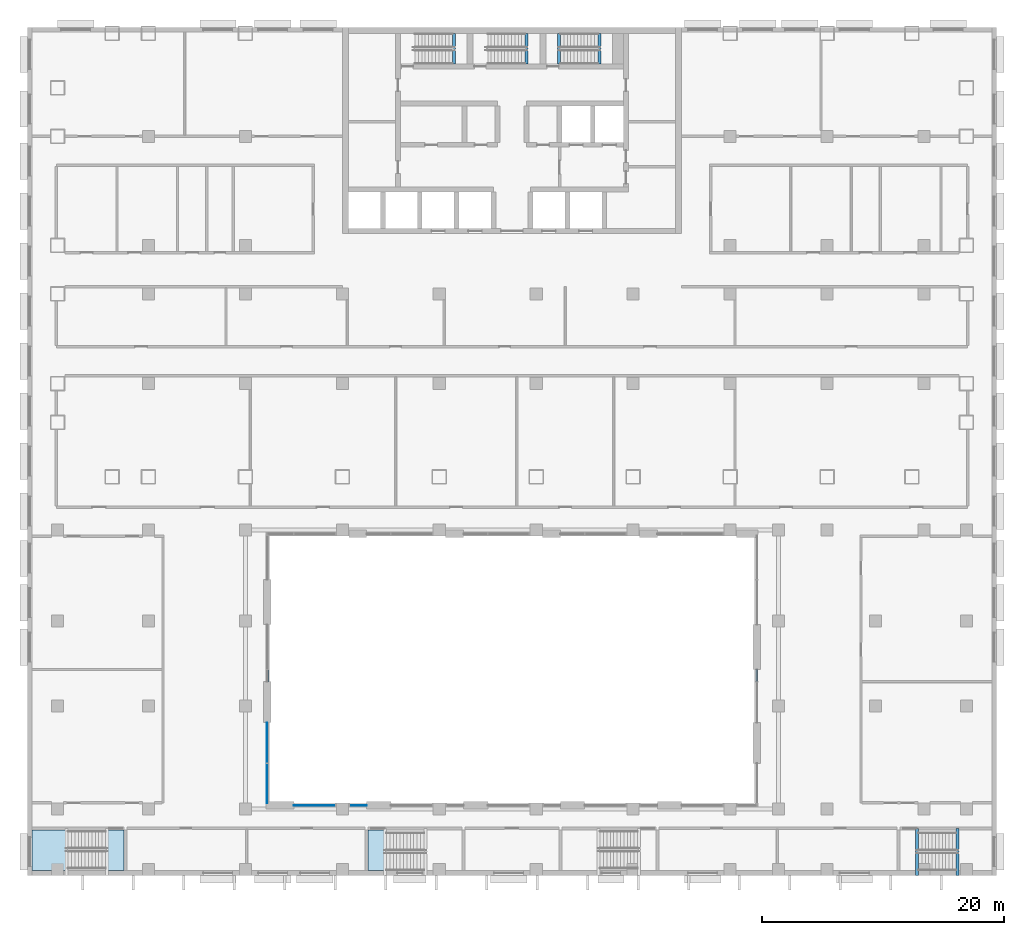
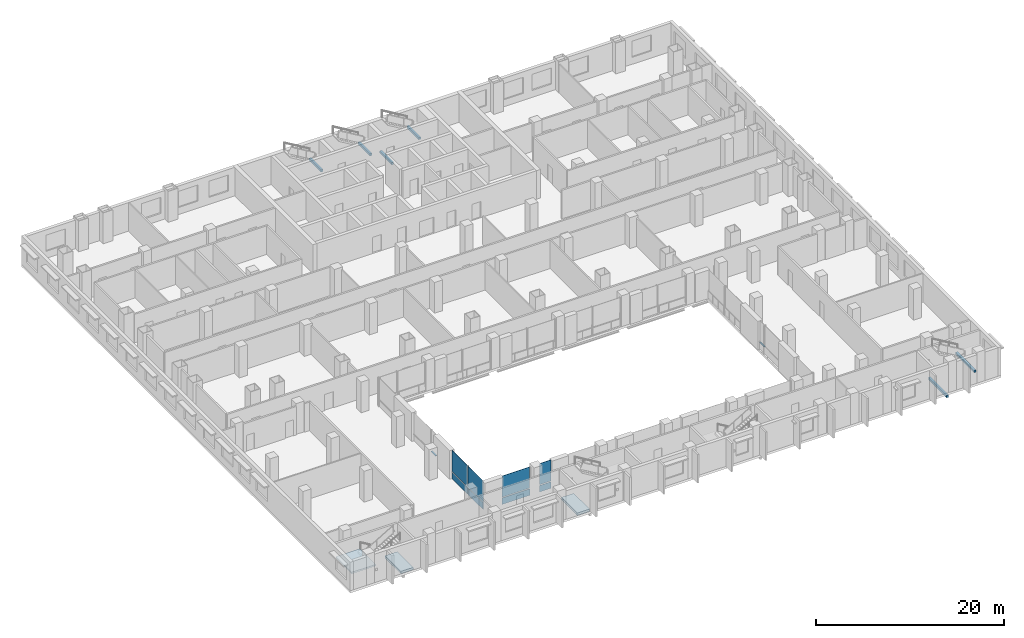
# One storey, part 5 of 25: 8 plates, 6 beams, 3 slabs, 2 members, 6 elements without a shape of their own.
"""IFC4 building model written with IfcOpenShell, lengths in metres."""

from ifc_helpers import new_model, si_unit, direction, frame, origin, origin_2d, place, context, subcontext, project, spatial, polyline, rectangle, outline, extrude, material, layer, layer_set, material_profile, profile_set, type_object, element, aggregate, save


model = new_model("IFC4")

# Units and contexts
model_context = context("Model", 3, precision=1e-05, world=origin(), true_north=direction((0.0, 1.0)))
body_context = subcontext(model_context, "Body", "Model", "MODEL_VIEW")
ifc_project = project(units=[si_unit("LENGTHUNIT", "METRE"), si_unit("AREAUNIT", "SQUARE_METRE"), si_unit("VOLUMEUNIT", "CUBIC_METRE"), si_unit("PLANEANGLEUNIT", "RADIAN"), si_unit("MASSUNIT", "GRAM", prefix="KILO")], contexts=[model_context])

# Site, building, storey
site_placement = place(None, origin())
site = spatial("IfcSite", under=ifc_project, at=site_placement, CompositionType="ELEMENT")
building_placement = place(site_placement, origin())
building = spatial("IfcBuilding", under=site, at=building_placement, Name="Vidyagriha Tower", CompositionType="ELEMENT")
storey_placement = place(building_placement, frame((0.0, 0.0, 10.0)))
storey = spatial("IfcBuildingStorey", under=building, at=storey_placement, Name="L02", CompositionType="ELEMENT", Elevation=10.0)

# Beams
ifc_material_1 = material(Name="Concrete C40/50", Category="concrete")
ifc_material_profile_1 = material_profile(ifc_material_1, rectangle(XDim=0.25, YDim=0.300048828125, at=origin_2d()), Name="Stair landing bearing beam 250x300")
ifc_profile_set_1 = profile_set([ifc_material_profile_1], Name="Concrete C40/50")
beam_type = type_object("IfcBeamType", Name="Stair landing bearing beam 250x300", PredefinedType="BEAM", material=ifc_profile_set_1)
for number, where, z_axis, x_axis, name in (
    (1, (3.875, 16.949951171875, -0.449951171875), (0.0, 1.0, 0.0), (-1.0, 0.0, 0.0), "ST3 floor landing bearing beam L02"),
    (2, (-4.794921875, 16.949951171875, 1.64990234375), (0.0, 1.0, 0.0), (-1.0, 0.0, 0.0), "ST1 landing bearing beam L02"),
    (3, (1.205078125, 16.949951171875, 1.64990234375), (0.0, 1.0, 0.0), (-1.0, 0.0, 0.0), "ST2 landing bearing beam L02"),
    (4, (7.205078125, 16.949951171875, 1.64990234375), (0.0, 1.0, 0.0), (-1.0, 0.0, 0.0), "ST3 landing bearing beam L02"),
):
    element("IfcBeam", number, at=place(storey_placement, frame(where, z_axis=z_axis, x_axis=x_axis)), inside=storey, type_object=beam_type, Name=name, PredefinedType="BEAM", context=body_context, shape_type="SweptSolid", body=[
        extrude(rectangle(XDim=0.25, YDim=0.300048828125, at=origin_2d()), origin(), (0.0, 0.0, 1.0), 2.550048828125),
    ])
for number, where, z_axis, x_axis, name in (
    (5, (33.419921875, -50.0, -0.449951171875), (0.0, 1.0, 0.0), (-1.0, 0.0, 0.0), "PS2 floor landing bearing beam L02"),
    (6, (36.760009765625, -50.0, 1.64990234375), (0.0, 1.0, 0.0), (-1.0, 0.0, 0.0), "PS2 landing bearing beam L02"),
):
    element("IfcBeam", number, at=place(storey_placement, frame(where, z_axis=z_axis, x_axis=x_axis)), inside=storey, type_object=beam_type, Name=name, PredefinedType="BEAM", context=body_context, shape_type="SweptSolid", body=[
        extrude(rectangle(XDim=0.25, YDim=0.300048828125, at=origin_2d()), origin(), (0.0, 0.0, 1.0), 3.89990234375),
    ])

# Curtain wall, member
ifc_material_2 = material(Name="Aluminium and glass curtain wall", Category="aluminium")
curtain_wall_type = type_object("IfcCurtainWallType", Name="Atrium screen curtain wall", PredefinedType="USERDEFINED", material=ifc_material_2)
curtain_wall_1_placement = place(storey_placement, origin())
curtain_wall_1 = element("IfcCurtainWall", 7, at=curtain_wall_1_placement, inside=storey, type_object=curtain_wall_type, Name="CW6 atrium screen", ObjectType="UNITISED", PredefinedType="USERDEFINED")
ifc_material_3 = material(Name="Aluminium black anodised", Category="aluminium")
ifc_material_profile_2 = material_profile(ifc_material_3, rectangle(XDim=0.159912109375, YDim=0.10009765625, at=origin_2d()), Name="Transom 100x160 black aluminium")
ifc_profile_set_2 = profile_set([ifc_material_profile_2], Name="Aluminium black anodised")
member_type = type_object("IfcMemberType", Name="Transom 100x160 black aluminium", PredefinedType="USERDEFINED", material=ifc_profile_set_2)
member_1_placement = place(storey_placement, frame((-20.199951171875, -34.0, 0.89990234375), z_axis=(0.0, 1.0, 0.0), x_axis=(-1.0, 0.0, 0.0)))
member_1 = element("IfcMember", 8, at=member_1_placement, type_object=member_type, Name="CW6 transom 1.1", ObjectType="TRANSOM", PredefinedType="USERDEFINED", context=body_context, shape_type="SweptSolid", body=[
    extrude(rectangle(XDim=0.159912109375, YDim=0.10009765625, at=origin_2d()), origin(), (0.0, 0.0, 1.0), 0.965087890625),
])
aggregate(curtain_wall_1, [member_1])

curtain_wall_2_placement = place(storey_placement, origin())
curtain_wall_2 = element("IfcCurtainWall", 9, at=curtain_wall_2_placement, inside=storey, type_object=curtain_wall_type, Name="CW6 atrium screen", ObjectType="UNITISED", PredefinedType="USERDEFINED")
member_2_placement = place(storey_placement, frame((20.199951171875, -33.0, 0.89990234375), z_axis=(0.0, -1.0, 0.0), x_axis=(1.0, 0.0, 0.0)))
member_2 = element("IfcMember", 10, at=member_2_placement, type_object=member_type, Name="CW6 transom 1.1", ObjectType="TRANSOM", PredefinedType="USERDEFINED", context=body_context, shape_type="SweptSolid", body=[
    extrude(rectangle(XDim=0.159912109375, YDim=0.10009765625, at=origin_2d()), origin(), (0.0, 0.0, 1.0), 0.965087890625),
])
aggregate(curtain_wall_2, [member_2])

# Curtain wall, plate
curtain_wall_3_placement = place(storey_placement, origin())
curtain_wall_3 = element("IfcCurtainWall", 11, at=curtain_wall_3_placement, inside=storey, type_object=curtain_wall_type, Name="CW6 atrium screen", ObjectType="UNITISED", PredefinedType="USERDEFINED")
ifc_material_4 = material(Name="Glass dark ceramic-fritted spandrel", Category="glass")
ifc_layer_1 = layer(ifc_material_4, 0.0400390625)
ifc_layer_set_1 = layer_set([ifc_layer_1], Name="Glass dark ceramic-fritted spandrel")
plate_type_1 = type_object("IfcPlateType", Name="Ceramic-fritted spandrel panel", PredefinedType="CURTAIN_PANEL", material=ifc_layer_set_1)
plate_1_placement = place(storey_placement, frame((-12.699951171875, -44.199951171875, 0.0), z_axis=(0.0, 0.0, 1.0), x_axis=(-1.0, 0.0, 0.0)))
plate_1 = element("IfcPlate", 12, at=plate_1_placement, type_object=plate_type_1, Name="CW6 panel 1.1", PredefinedType="CURTAIN_PANEL", context=body_context, shape_type="SweptSolid", body=[
    extrude(rectangle(XDim=1.39990234375, YDim=0.0400390625, at=origin_2d()), origin(), (0.0, 0.0, 1.0), 0.85009765625),
])

curtain_wall_4_placement = place(storey_placement, origin())
curtain_wall_4 = element("IfcCurtainWall", 13, at=curtain_wall_4_placement, inside=storey, type_object=curtain_wall_type, Name="CW6 atrium screen", ObjectType="UNITISED", PredefinedType="USERDEFINED")
plate_2_placement = place(storey_placement, frame((-16.300048828125, -44.199951171875, 0.0), z_axis=(0.0, 0.0, 1.0), x_axis=(-1.0, 0.0, 0.0)))
plate_2 = element("IfcPlate", 14, at=plate_2_placement, type_object=plate_type_1, Name="CW6 panel 1.1", PredefinedType="CURTAIN_PANEL", context=body_context, shape_type="SweptSolid", body=[
    extrude(rectangle(XDim=3.39990234375, YDim=0.0400390625, at=origin_2d()), origin(), (0.0, 0.0, 1.0), 0.85009765625),
])

# Curtain wall, plates
curtain_wall_5_placement = place(storey_placement, origin())
curtain_wall_5 = element("IfcCurtainWall", 15, at=curtain_wall_5_placement, inside=storey, type_object=curtain_wall_type, Name="CW6 atrium screen", ObjectType="UNITISED", PredefinedType="USERDEFINED")
plate_3_placement = place(storey_placement, frame((-20.199951171875, -42.415771484375, 0.0), z_axis=(0.0, 0.0, 1.0), x_axis=(0.0, 1.0, 0.0)))
plate_3 = element("IfcPlate", 16, at=plate_3_placement, type_object=plate_type_1, Name="CW6 panel 1.1", PredefinedType="CURTAIN_PANEL", context=body_context, shape_type="SweptSolid", body=[
    extrude(rectangle(XDim=3.268310546875, YDim=0.0400390625, at=origin_2d()), origin(), (0.0, 0.0, 1.0), 0.85009765625),
])
plate_4_placement = place(storey_placement, frame((-20.199951171875, -39.04248046875, 0.0), z_axis=(0.0, 0.0, 1.0), x_axis=(0.0, 1.0, 0.0)))
plate_4 = element("IfcPlate", 17, at=plate_4_placement, type_object=plate_type_1, Name="CW6 panel 2.1", PredefinedType="CURTAIN_PANEL", context=body_context, shape_type="SweptSolid", body=[
    extrude(rectangle(XDim=3.33837890625, YDim=0.0400390625, at=origin_2d()), origin(), (0.0, 0.0, 1.0), 0.85009765625),
])

# Plate
ifc_material_5 = material(Name="Glass dark ceramic-fritted", Category="glass")
ifc_layer_2 = layer(ifc_material_5, 0.028076171875)
ifc_layer_set_2 = layer_set([ifc_layer_2], Name="Glass dark ceramic-fritted")
plate_type_2 = type_object("IfcPlateType", Name="Dark ceramic-fritted vision glass panel", PredefinedType="CURTAIN_PANEL", material=ifc_layer_set_2)
plate_5_placement = place(storey_placement, frame((-12.699951171875, -44.199951171875, 0.949951171875), z_axis=(0.0, 0.0, 1.0), x_axis=(-1.0, 0.0, 0.0)))
plate_5 = element("IfcPlate", 18, at=plate_5_placement, type_object=plate_type_2, Name="CW6 panel 1.2", PredefinedType="CURTAIN_PANEL", context=body_context, shape_type="SweptSolid", body=[
    extrude(rectangle(XDim=1.39990234375, YDim=0.028076171875, at=origin_2d()), origin(), (0.0, 0.0, 1.0), 2.75),
])

aggregate(curtain_wall_3, [plate_1, plate_5])

plate_6_placement = place(storey_placement, frame((-16.300048828125, -44.199951171875, 0.949951171875), z_axis=(0.0, 0.0, 1.0), x_axis=(-1.0, 0.0, 0.0)))
plate_6 = element("IfcPlate", 19, at=plate_6_placement, type_object=plate_type_2, Name="CW6 panel 1.2", PredefinedType="CURTAIN_PANEL", context=body_context, shape_type="SweptSolid", body=[
    extrude(rectangle(XDim=3.39990234375, YDim=0.028076171875, at=origin_2d()), origin(), (0.0, 0.0, 1.0), 2.75),
])

aggregate(curtain_wall_4, [plate_2, plate_6])

plate_7_placement = place(storey_placement, frame((-20.199951171875, -42.415771484375, 0.949951171875), z_axis=(0.0, 0.0, 1.0), x_axis=(0.0, 1.0, 0.0)))
plate_7 = element("IfcPlate", 20, at=plate_7_placement, type_object=plate_type_2, Name="CW6 panel 1.2", PredefinedType="CURTAIN_PANEL", context=body_context, shape_type="SweptSolid", body=[
    extrude(rectangle(XDim=3.268310546875, YDim=0.028076171875, at=origin_2d()), origin(), (0.0, 0.0, 1.0), 2.75),
])

plate_8_placement = place(storey_placement, frame((-20.199951171875, -39.04248046875, 0.949951171875), z_axis=(0.0, 0.0, 1.0), x_axis=(0.0, 1.0, 0.0)))
plate_8 = element("IfcPlate", 21, at=plate_8_placement, type_object=plate_type_2, Name="CW6 panel 2.2", PredefinedType="CURTAIN_PANEL", context=body_context, shape_type="SweptSolid", body=[
    extrude(rectangle(XDim=3.33837890625, YDim=0.028076171875, at=origin_2d()), origin(), (0.0, 0.0, 1.0), 2.75),
])

aggregate(curtain_wall_5, [plate_3, plate_7, plate_4, plate_8])

# Stair, slab
ifc_material_6 = material(Name="Concrete C32/40", Category="concrete")
stair_type = type_object("IfcStairType", Name="Podium Exit Stair 1500", PredefinedType="HALF_TURN_STAIR", material=ifc_material_6)
stair_placement = place(storey_placement, origin())
stair = element("IfcStair", 22, at=stair_placement, inside=storey, type_object=stair_type, Name="L02 Exit Stair PS1", PredefinedType="HALF_TURN_STAIR")
ifc_material_7 = material(Name="Concrete C32/40", Category="concrete")
ifc_layer_3 = layer(ifc_material_7, 0.199951171875)
ifc_layer_set_3 = layer_set([ifc_layer_3], Name="Concrete C32/40")
slab_type_1 = type_object("IfcSlabType", Name="Podium Stair Landing 200", PredefinedType="LANDING", material=ifc_layer_set_3)
slab_1_placement = place(storey_placement, frame((0.0, 0.0, 1.800048828125)))
slab_1 = element("IfcSlab", 23, at=slab_1_placement, type_object=slab_type_1, Name="PS1 landing 1", PredefinedType="LANDING", context=body_context, shape_type="SweptSolid", body=[
    extrude(outline(polyline([(-36.625, -46.22509765625), (-39.60009765625, -46.22509765625), (-39.60009765625, -49.60009765625), (-36.625, -49.60009765625), (-36.625, -46.22509765625)])), origin(), (0.0, 0.0, 1.0), 0.199951171875),
])
aggregate(stair, [slab_1])

# Slabs
ifc_material_8 = material(Name="Concrete C32/40", Category="concrete")
ifc_layer_4 = layer(ifc_material_8, 0.300048828125)
ifc_layer_set_4 = layer_set([ifc_layer_4], Name="Concrete C32/40")
slab_type_2 = type_object("IfcSlabType", Name="Podium stair floor landing 300 mm", PredefinedType="LANDING", material=ifc_layer_set_4)
slab_2_placement = place(storey_placement, frame((0.0, 0.0, -0.300048828125)))
element("IfcSlab", 24, at=slab_2_placement, inside=storey, type_object=slab_type_2, Name="PS1 floor landing L02", PredefinedType="LANDING", context=body_context, shape_type="SweptSolid", body=[
    extrude(outline(polyline([(-33.544921875, -49.60009765625), (-32.02490234375, -49.60009765625), (-32.02490234375, -46.22509765625), (-33.544921875, -46.22509765625), (-33.544921875, -49.60009765625)])), origin(), (0.0, 0.0, 1.0), 0.300048828125),
])
slab_3_placement = place(storey_placement, frame((0.0, 0.0, -0.300048828125)))
element("IfcSlab", 25, at=slab_3_placement, inside=storey, type_object=slab_type_2, Name="PS3 floor landing L02", PredefinedType="LANDING", context=body_context, shape_type="SweptSolid", body=[
    extrude(outline(polyline([(-11.875, -49.60009765625), (-10.35498046875, -49.60009765625), (-10.35498046875, -46.22509765625), (-11.875, -46.22509765625), (-11.875, -49.60009765625)])), origin(), (0.0, 0.0, 1.0), 0.300048828125),
])

save(model, "model.ifc")
